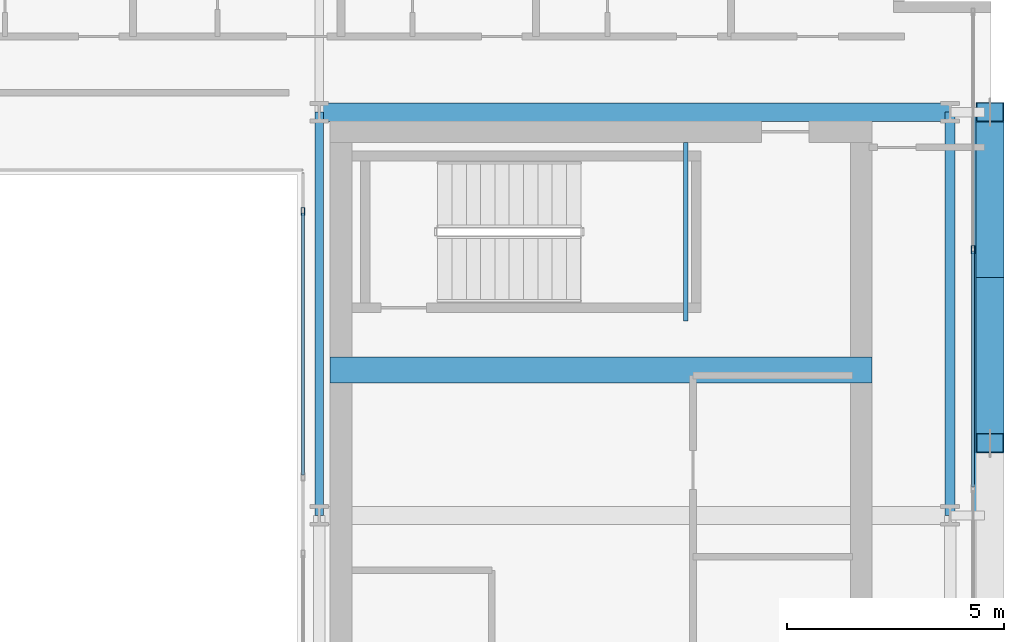
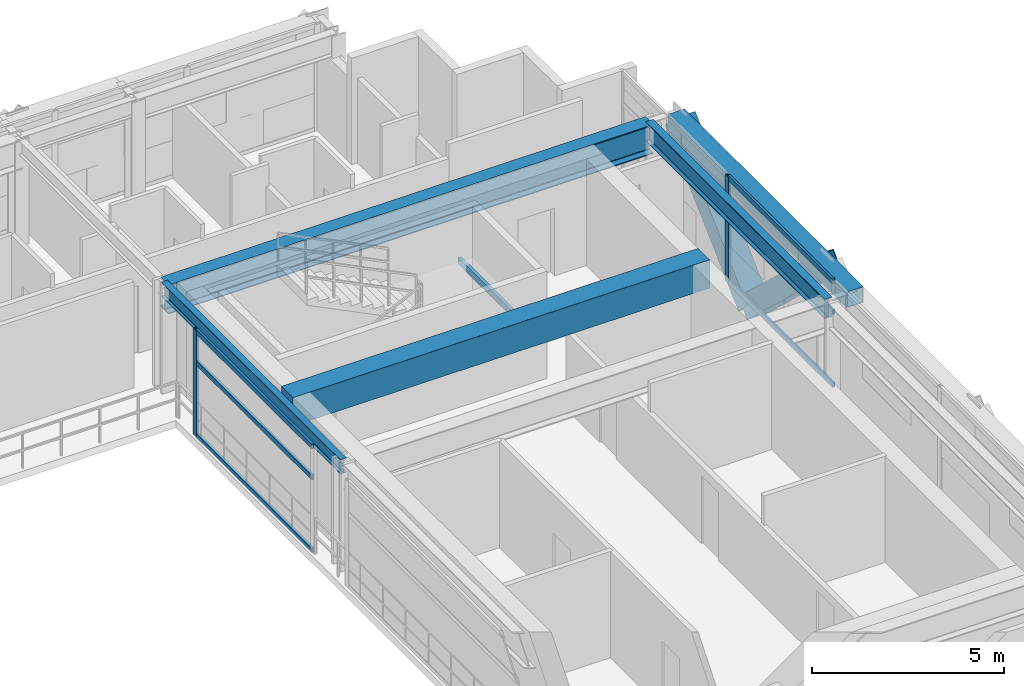
# One storey, part 18 of 38: 10 members, 6 beams, 2 elements without a shape of their own.
"""IFC4 building model written with IfcOpenShell, lengths in metres."""

from ifc_helpers import new_model, si_unit, direction, frame, origin, origin_2d, place, context, subcontext, project, spatial, rectangle, hollow_rectangle, i_section, extrude, source, transform, mapped, material, layer, layer_set, material_profile, profile_set, type_object, element, aggregate, save


model = new_model("IFC4")

# Units and contexts
model_context = context("Model", 3, precision=1e-05, world=origin(), true_north=direction((0.0, 1.0)))
body_context = subcontext(model_context, "Body", "Model", "MODEL_VIEW")
ifc_project = project(units=[si_unit("LENGTHUNIT", "METRE"), si_unit("AREAUNIT", "SQUARE_METRE"), si_unit("VOLUMEUNIT", "CUBIC_METRE"), si_unit("PLANEANGLEUNIT", "RADIAN"), si_unit("MASSUNIT", "GRAM", prefix="KILO")], contexts=[model_context])

# Site, building, storey
site_placement = place(None, origin())
site = spatial("IfcSite", under=ifc_project, at=site_placement, CompositionType="ELEMENT")
building_placement = place(site_placement, origin())
building = spatial("IfcBuilding", under=site, at=building_placement, Name="Ocotamira Hotel", CompositionType="ELEMENT")
storey_placement = place(building_placement, frame((0.0, 0.0, 170.39990234375)))
storey = spatial("IfcBuildingStorey", under=building, at=storey_placement, Name="L42", CompositionType="ELEMENT", Elevation=170.39990234375)

# Beams
ifc_material_1 = material(Name="Concrete C50/60", Category="concrete")
ifc_material_profile_1 = material_profile(ifc_material_1, rectangle(XDim=0.60009765625, YDim=0.89990234375, at=origin_2d()), Name="RC600X900")
ifc_profile_set_1 = profile_set([ifc_material_profile_1], Name="Concrete C50/60")
beam_type_1 = type_object("IfcBeamType", Name="BM-LINK-RC600", PredefinedType="LINTEL", material=ifc_profile_set_1)
shared_shape_1 = source(origin(), body_context, "Body", "SweptSolid", [
    extrude(rectangle(XDim=0.60009765625, YDim=0.89990234375, at=origin_2d()), origin(), (0.0, 0.0, 1.0), 12.5),
])
beam_1_placement = place(storey_placement, frame((40.75, 31.5, 2.920166015625), z_axis=(1.0, 0.0, 0.0), x_axis=(0.0, 1.0, 0.0)))
element("IfcBeam", 1, at=beam_1_placement, inside=storey, type_object=beam_type_1, Name="L42 East Core Coupling Beam", PredefinedType="LINTEL", context=body_context, shape_type="MappedRepresentation", body=[
    mapped(shared_shape_1, transform((0.0, 0.0, 0.0), scale=1.0)),
])
ifc_material_2 = material(Name="Steel ASTM A500 Grade C", Category="steel")
ifc_material_profile_2 = material_profile(ifc_material_2, hollow_rectangle(XDim=0.10009765625, YDim=0.199951171875, WallThickness=0.008056640625, at=origin_2d()), Name="HSS200X100X8")
ifc_profile_set_2 = profile_set([ifc_material_profile_2], Name="Steel ASTM A500 Grade C")
beam_type_2 = type_object("IfcBeamType", Name="BM-STLDG-HSS200", PredefinedType="BEAM", material=ifc_profile_set_2)
shared_shape_2 = source(origin(), body_context, "Body", "SweptSolid", [
    extrude(hollow_rectangle(XDim=0.10009765625, YDim=0.199951171875, WallThickness=0.008056640625, at=origin_2d()), origin(), (0.0, 0.0, 1.0), 4.1201171875),
])
beam_2_placement = place(storey_placement, frame((48.949951171875, 32.6298828125, 1.5), z_axis=(0.0, 1.0, 0.0), x_axis=(-1.0, 0.0, 0.0)))
element("IfcBeam", 2, at=beam_2_placement, inside=storey, type_object=beam_type_2, Name="L42 Stair ST-4 Landing Bearer 1", PredefinedType="BEAM", context=body_context, shape_type="MappedRepresentation", body=[
    mapped(shared_shape_2, transform((0.0, 0.0, 0.0), scale=1.0)),
])
ifc_material_3 = material(Name="Steel ASTM A992 Grade 50", Category="steel")
ifc_material_profile_3 = material_profile(ifc_material_3, i_section(OverallWidth=0.41796875, OverallDepth=0.927001953125, WebThickness=0.019287109375, FlangeThickness=0.031982421875, FilletRadius=0.02392578125, at=origin_2d()), Name="W36X231")
ifc_profile_set_3 = profile_set([ifc_material_profile_3], Name="Steel ASTM A992 Grade 50")
beam_type_3 = type_object("IfcBeamType", Name="BM-GIRD-W36X231", PredefinedType="BEAM", material=ifc_profile_set_3)
shared_shape_3 = source(origin(), body_context, "Body", "SweptSolid", [
    extrude(i_section(OverallWidth=0.41796875, OverallDepth=0.927001953125, WebThickness=0.019287109375, FlangeThickness=0.031982421875, FilletRadius=0.02392578125, at=origin_2d()), origin(), (0.0, 0.0, 1.0), 14.550048828125),
])
beam_3_placement = place(storey_placement, frame((40.5, 37.449951171875, 2.906494140625), z_axis=(1.0, 0.0, 0.0), x_axis=(0.0, 1.0, 0.0)))
element("IfcBeam", 3, at=beam_3_placement, inside=storey, type_object=beam_type_3, Name="L42 Girder Y37.45 X40.5-55.05", PredefinedType="BEAM", context=body_context, shape_type="MappedRepresentation", body=[
    mapped(shared_shape_3, transform((0.0, 0.0, 0.0), scale=1.0)),
])
ifc_material_profile_4 = material_profile(ifc_material_3, i_section(OverallWidth=0.22998046875, OverallDepth=0.616943359375, WebThickness=0.01318359375, FlangeThickness=0.022216796875, FilletRadius=0.012939453125, at=origin_2d()), Name="W24X94")
ifc_profile_set_4 = profile_set([ifc_material_profile_4], Name="Steel ASTM A992 Grade 50")
beam_type_4 = type_object("IfcBeamType", Name="BM-PRIM-W24X94", PredefinedType="BEAM", material=ifc_profile_set_4)
shared_shape_4 = source(origin(), body_context, "Body", "SweptSolid", [
    extrude(i_section(OverallWidth=0.22998046875, OverallDepth=0.616943359375, WebThickness=0.01318359375, FlangeThickness=0.022216796875, FilletRadius=0.012939453125, at=origin_2d()), origin(), (0.0, 0.0, 1.0), 9.300048828125),
])
beam_4_placement = place(storey_placement, frame((55.050048828125, 28.14990234375, 3.0615234375), z_axis=(0.0, 1.0, 0.0), x_axis=(-1.0, 0.0, 0.0)))
element("IfcBeam", 4, at=beam_4_placement, inside=storey, type_object=beam_type_4, Name="L42 Beam X55.05 Y28.15-37.45", PredefinedType="BEAM", context=body_context, shape_type="MappedRepresentation", body=[
    mapped(shared_shape_4, transform((0.0, 0.0, 0.0), scale=1.0)),
])
ifc_material_profile_5 = material_profile(ifc_material_3, i_section(OverallWidth=0.18994140625, OverallDepth=0.45703125, WebThickness=0.009033203125, FlangeThickness=0.014404296875, FilletRadius=0.010009765625, at=origin_2d()), Name="W18X50")
ifc_profile_set_5 = profile_set([ifc_material_profile_5], Name="Steel ASTM A992 Grade 50")
beam_type_5 = type_object("IfcBeamType", Name="BM-SEC-W18X50", PredefinedType="JOIST", material=ifc_profile_set_5)
shared_shape_5 = source(origin(), body_context, "Body", "SweptSolid", [
    extrude(i_section(OverallWidth=0.18994140625, OverallDepth=0.45703125, WebThickness=0.009033203125, FlangeThickness=0.014404296875, FilletRadius=0.010009765625, at=origin_2d()), origin(), (0.0, 0.0, 1.0), 9.300048828125),
])
beam_5_placement = place(storey_placement, frame((40.5, 28.14990234375, 3.1416015625), z_axis=(0.0, 1.0, 0.0), x_axis=(-1.0, 0.0, 0.0)))
element("IfcBeam", 5, at=beam_5_placement, inside=storey, type_object=beam_type_5, Name="L42 Beam X40.5 Y28.15-37.45", PredefinedType="JOIST", context=body_context, shape_type="MappedRepresentation", body=[
    mapped(shared_shape_5, transform((0.0, 0.0, 0.0), scale=1.0)),
])
ifc_material_profile_6 = material_profile(ifc_material_2, hollow_rectangle(XDim=0.5, YDim=0.5, WallThickness=0.02001953125, at=origin_2d()), Name="HSS500X500X20")
ifc_profile_set_6 = profile_set([ifc_material_profile_6], Name="Steel ASTM A500 Grade C")
beam_type_6 = type_object("IfcBeamType", Name="BM-SPAN-HSS500", PredefinedType="USERDEFINED", material=ifc_profile_set_6)
shared_shape_6 = source(origin(), body_context, "Body", "SweptSolid", [
    extrude(hollow_rectangle(XDim=0.5, YDim=0.5, WallThickness=0.02001953125, at=origin_2d()), origin(), (0.0, 0.0, 1.0), 9.300048828125),
])
beam_6_placement = place(storey_placement, frame((55.85009765625, 28.14990234375, 3.1201171875), z_axis=(0.0, 1.0, 0.0), x_axis=(-1.0, 0.0, 0.0)))
element("IfcBeam", 6, at=beam_6_placement, inside=storey, type_object=beam_type_6, Name="L42 Edge Spandrel E Y28.15-37.45", ObjectType="SPANDREL", PredefinedType="USERDEFINED", context=body_context, shape_type="MappedRepresentation", body=[
    mapped(shared_shape_6, transform((0.0, 0.0, 0.0), scale=1.0)),
])

# Members
ifc_material_4 = material(Name="Pale-metal coated steel ASTM A913 Grade 65", Category="steel")
ifc_material_profile_7 = material_profile(ifc_material_4, hollow_rectangle(XDim=0.64990234375, YDim=0.64990234375, WallThickness=0.02197265625, at=origin_2d()), Name="BOX650X650X22")
ifc_profile_set_7 = profile_set([ifc_material_profile_7], Name="Pale-metal coated steel ASTM A913 Grade 65")
member_type_1 = type_object("IfcMemberType", Name="MEM-EXO-BOX650", PredefinedType="BRACE", material=ifc_profile_set_7)
shared_shape_7 = source(origin(), body_context, "Body", "SweptSolid", [
    extrude(hollow_rectangle(XDim=0.64990234375, YDim=0.64990234375, WallThickness=0.02197265625, at=origin_2d()), origin(), (0.0, 0.0, 1.0), 5.24658203125),
])
for number, where, z_axis, x_axis, name in (
    (7, (55.969970703125, 33.63330078125, -0.47998046875), (0.0, -0.727442733726, 0.686168397078), (1.0, 0.0, 0.0), "L42 Exoskeleton Diagrid E2.1"),
    (8, (55.969970703125, 33.63330078125, -0.47998046875), (0.0, 0.727442733726, 0.686168397078), (-1.0, 0.0, 0.0), "L42 Exoskeleton Diagrid E2.2"),
):
    element("IfcMember", number, at=place(storey_placement, frame(where, z_axis=z_axis, x_axis=x_axis)), inside=storey, type_object=member_type_1, Name=name, PredefinedType="BRACE", context=body_context, shape_type="MappedRepresentation", body=[
        mapped(shared_shape_7, transform((0.0, 0.0, 0.0), scale=1.0)),
    ])

# Curtain wall, member
ifc_material_5 = material(Name="Anodised pale-metal aluminium and solar glass", Category="aluminium")
ifc_layer_1 = layer(ifc_material_5, 0.199951171875)
ifc_layer_set_1 = layer_set([ifc_layer_1], Name="Anodised pale-metal aluminium and solar glass")
curtain_wall_type_1 = type_object("IfcCurtainWallType", Name="CW-SYS4-Z3", PredefinedType="NOTDEFINED", material=ifc_layer_set_1)
curtain_wall_1_placement = place(storey_placement, origin())
curtain_wall_1 = element("IfcCurtainWall", 9, at=curtain_wall_1_placement, inside=storey, type_object=curtain_wall_type_1, Name="L42 Curtain Wall CW-4 CW-L42-E", PredefinedType="NOTDEFINED")
ifc_material_6 = material(Name="Anodised pale-metal aluminium 6063-T6", Category="aluminium")
ifc_material_profile_8 = material_profile(ifc_material_6, hollow_rectangle(XDim=0.080078125, YDim=0.179931640625, WallThickness=0.006103515625, at=origin_2d()), Name="HSS180X80X6")
ifc_profile_set_8 = profile_set([ifc_material_profile_8], Name="Anodised pale-metal aluminium 6063-T6")
member_type_2 = type_object("IfcMemberType", Name="CWM-180X75", PredefinedType="MULLION", material=ifc_profile_set_8)
shared_shape_8 = source(origin(), body_context, "Body", "SweptSolid", [
    extrude(hollow_rectangle(XDim=0.080078125, YDim=0.179931640625, WallThickness=0.006103515625, at=origin_2d()), origin(), (0.0, 0.0, 1.0), 3.3701171875),
])
member_1_placement = place(storey_placement, frame((55.580078125, 34.280029296875, 0.0), z_axis=(0.0, 0.0, 1.0), x_axis=(-1.0, 0.0, 0.0)))
member_1 = element("IfcMember", 10, at=member_1_placement, type_object=member_type_2, Name="CW-4 mullion 5", PredefinedType="MULLION", context=body_context, shape_type="MappedRepresentation", body=[
    mapped(shared_shape_8, transform((0.0, 0.0, 0.0), scale=1.0)),
])

ifc_layer_2 = layer(ifc_material_5, 0.159912109375)
ifc_layer_set_2 = layer_set([ifc_layer_2], Name="Anodised pale-metal aluminium and solar glass")
curtain_wall_type_2 = type_object("IfcCurtainWallType", Name="CW-SYS6-ATR", PredefinedType="NOTDEFINED", material=ifc_layer_set_2)
curtain_wall_2_placement = place(storey_placement, origin())
curtain_wall_2 = element("IfcCurtainWall", 11, at=curtain_wall_2_placement, inside=storey, type_object=curtain_wall_type_2, Name="L42 Curtain Wall CW-6 CW-L42-ATRE2", PredefinedType="NOTDEFINED")
member_2_placement = place(storey_placement, frame((40.1201171875, 35.159912109375, 0.0), z_axis=(0.0, 0.0, 1.0), x_axis=(-1.0, 0.0, 0.0)))
member_2 = element("IfcMember", 12, at=member_2_placement, type_object=member_type_2, Name="CW-6 mullion 2", PredefinedType="MULLION", context=body_context, shape_type="MappedRepresentation", body=[
    mapped(shared_shape_8, transform((0.0, 0.0, 0.0), scale=1.0)),
])

# Member
ifc_material_profile_9 = material_profile(ifc_material_6, hollow_rectangle(XDim=0.074951171875, YDim=0.14990234375, WallThickness=0.006103515625, at=origin_2d()), Name="HSS150X75X6")
ifc_profile_set_9 = profile_set([ifc_material_profile_9], Name="Anodised pale-metal aluminium 6063-T6")
member_type_3 = type_object("IfcMemberType", Name="CWT-150X75", PredefinedType="USERDEFINED", material=ifc_profile_set_9)
shared_shape_9 = source(origin(), body_context, "Body", "SweptSolid", [
    extrude(hollow_rectangle(XDim=0.074951171875, YDim=0.14990234375, WallThickness=0.006103515625, at=origin_2d()), origin(), (0.0, 0.0, 1.0), 5.43994140625),
])
member_3_placement = place(storey_placement, frame((55.580078125, 28.800048828125, 0.03759765625), z_axis=(0.0, 1.0, 0.0), x_axis=(-1.0, 0.0, 0.0)))
member_3 = element("IfcMember", 13, at=member_3_placement, type_object=member_type_3, Name="CW-4 transom 4.1", ObjectType="TRANSOM", PredefinedType="USERDEFINED", context=body_context, shape_type="MappedRepresentation", body=[
    mapped(shared_shape_9, transform((0.0, 0.0, 0.0), scale=1.0)),
])

member_4_placement = place(storey_placement, frame((55.580078125, 28.800048828125, 2.35009765625), z_axis=(0.0, 1.0, 0.0), x_axis=(-1.0, 0.0, 0.0)))
member_4 = element("IfcMember", 14, at=member_4_placement, type_object=member_type_3, Name="CW-4 transom 4.2", ObjectType="TRANSOM", PredefinedType="USERDEFINED", context=body_context, shape_type="MappedRepresentation", body=[
    mapped(shared_shape_9, transform((0.0, 0.0, 0.0), scale=1.0)),
])

member_5_placement = place(storey_placement, frame((55.580078125, 28.800048828125, 3.33251953125), z_axis=(0.0, 1.0, 0.0), x_axis=(-1.0, 0.0, 0.0)))
member_5 = element("IfcMember", 15, at=member_5_placement, type_object=member_type_3, Name="CW-4 transom 4.3", ObjectType="TRANSOM", PredefinedType="USERDEFINED", context=body_context, shape_type="MappedRepresentation", body=[
    mapped(shared_shape_9, transform((0.0, 0.0, 0.0), scale=1.0)),
])

aggregate(curtain_wall_1, [member_1, member_3, member_4, member_5])

shared_shape_10 = source(origin(), body_context, "Body", "SweptSolid", [
    extrude(hollow_rectangle(XDim=0.074951171875, YDim=0.14990234375, WallThickness=0.006103515625, at=origin_2d()), origin(), (0.0, 0.0, 1.0), 6.0400390625),
])
member_6_placement = place(storey_placement, frame((40.1201171875, 29.080078125, 0.03759765625), z_axis=(0.0, 1.0, 0.0), x_axis=(-1.0, 0.0, 0.0)))
member_6 = element("IfcMember", 16, at=member_6_placement, type_object=member_type_3, Name="CW-6 transom 1.1", ObjectType="TRANSOM", PredefinedType="USERDEFINED", context=body_context, shape_type="MappedRepresentation", body=[
    mapped(shared_shape_10, transform((0.0, 0.0, 0.0), scale=1.0)),
])

member_7_placement = place(storey_placement, frame((40.1201171875, 29.080078125, 2.35009765625), z_axis=(0.0, 1.0, 0.0), x_axis=(-1.0, 0.0, 0.0)))
member_7 = element("IfcMember", 17, at=member_7_placement, type_object=member_type_3, Name="CW-6 transom 1.2", ObjectType="TRANSOM", PredefinedType="USERDEFINED", context=body_context, shape_type="MappedRepresentation", body=[
    mapped(shared_shape_10, transform((0.0, 0.0, 0.0), scale=1.0)),
])

member_8_placement = place(storey_placement, frame((40.1201171875, 29.080078125, 3.33251953125), z_axis=(0.0, 1.0, 0.0), x_axis=(-1.0, 0.0, 0.0)))
member_8 = element("IfcMember", 18, at=member_8_placement, type_object=member_type_3, Name="CW-6 transom 1.3", ObjectType="TRANSOM", PredefinedType="USERDEFINED", context=body_context, shape_type="MappedRepresentation", body=[
    mapped(shared_shape_10, transform((0.0, 0.0, 0.0), scale=1.0)),
])

aggregate(curtain_wall_2, [member_2, member_6, member_7, member_8])

save(model, "model.ifc")
